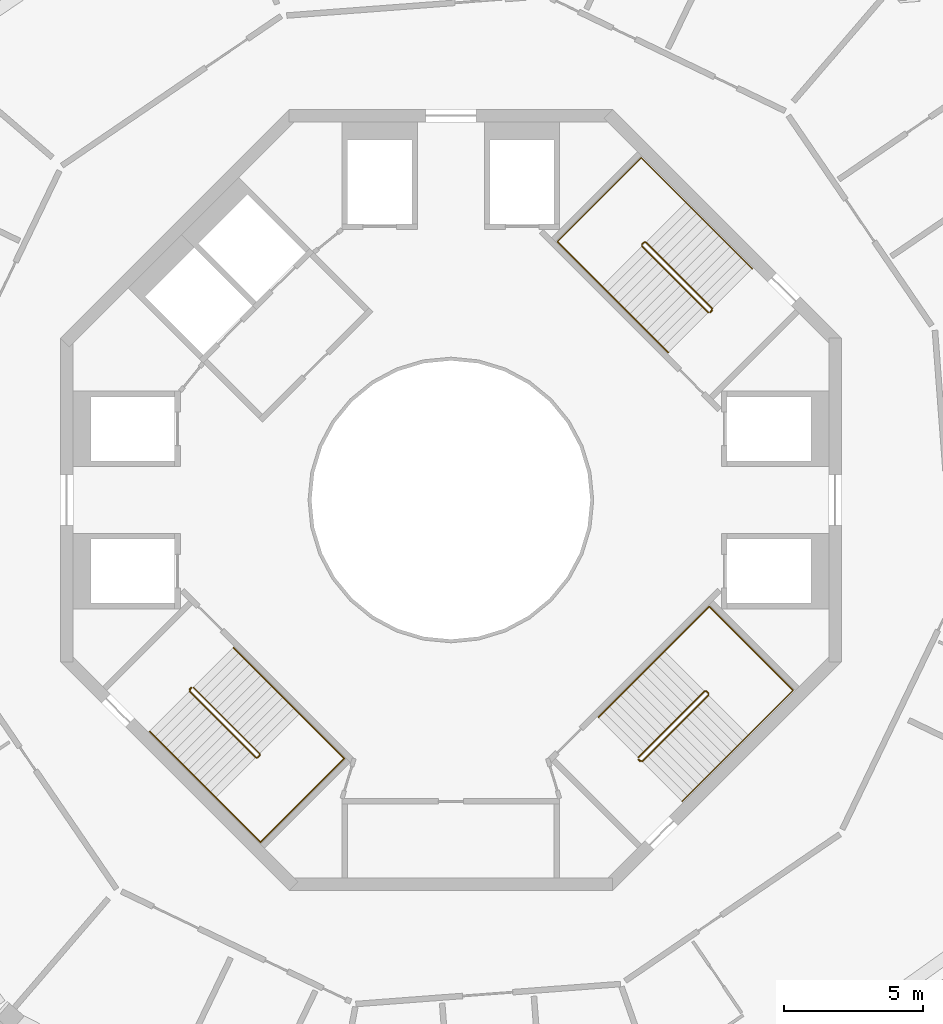
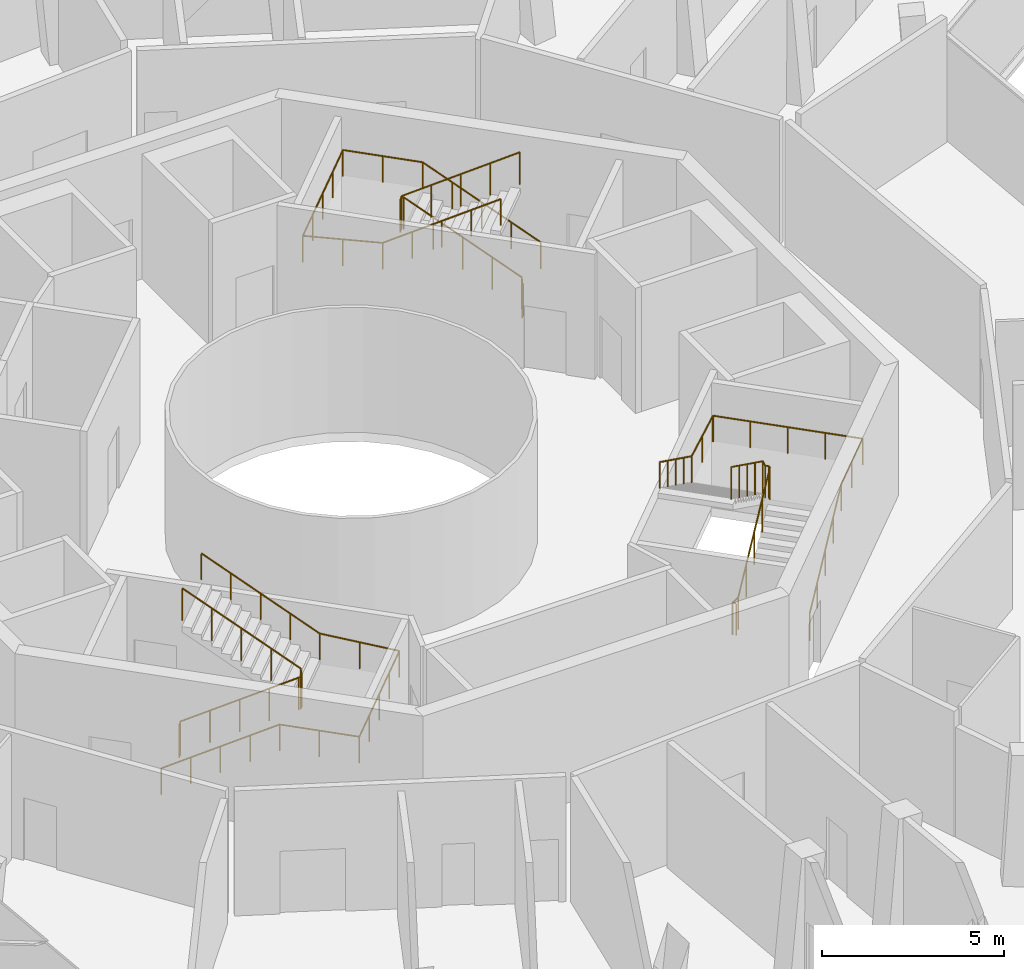
# One storey, part 19 of 19: 6 railings.
"""IFC4 building model written with IfcOpenShell, lengths in metres."""

from ifc_helpers import new_model, si_unit, direction, frame, origin, origin_2d, place, context, subcontext, project, spatial, circle, extrude, material, type_object, element, save


model = new_model("IFC4")

# Units and contexts
model_context = context("Model", 3, precision=1e-05, world=origin(), true_north=direction((0.0, 1.0)))
body_context = subcontext(model_context, "Body", "Model", "MODEL_VIEW")
ifc_project = project(units=[si_unit("LENGTHUNIT", "METRE"), si_unit("AREAUNIT", "SQUARE_METRE"), si_unit("VOLUMEUNIT", "CUBIC_METRE"), si_unit("PLANEANGLEUNIT", "RADIAN"), si_unit("MASSUNIT", "GRAM", prefix="KILO")], contexts=[model_context])

# Site, building, storey
site_placement = place(None, origin())
site = spatial("IfcSite", under=ifc_project, at=site_placement, CompositionType="ELEMENT")
building_placement = place(site_placement, origin())
building = spatial("IfcBuilding", under=site, at=building_placement, Name="Verdalira Terraces Hotel", CompositionType="ELEMENT")
storey_placement = place(building_placement, frame((0.0, 0.0, 295.0)))
storey = spatial("IfcBuildingStorey", under=building, at=storey_placement, Name="L73", CompositionType="ELEMENT", Elevation=295.0)

# Railings
ifc_material_1 = material(Name="Stainless steel", Category="steel")
railing_type_1 = type_object("IfcRailingType", Name="Stair guard 1100", PredefinedType="GUARDRAIL", material=ifc_material_1)
railing_1_placement = place(storey_placement, frame((9.369141, 6.78833, 0.0)))
element("IfcRailing", 1, at=railing_1_placement, inside=storey, type_object=railing_type_1, Name="L73 ST1 stair guard 1", PredefinedType="GUARDRAIL", context=body_context, shape_type="SweptSolid", body=[
    extrude(circle(Radius=0.023926, at=origin_2d()), frame((0.0, 0.0, 1.076172), z_axis=(-0.707106781, -0.707106781, 0.0), x_axis=(0.707106781, -0.707106781, 0.0)), (0.0, 0.0, 1.0), 0.100098),
    extrude(circle(Radius=0.023926, at=origin_2d()), frame((-0.070801, -0.070801, 1.076172), z_axis=(0.302014195, 0.602986962, 0.738372636), x_axis=(-0.894118129, 0.447831187, 0.0)), (0.0, 0.0, 1.0), 0.234375),
    extrude(circle(Radius=0.023926, at=origin_2d()), frame((0.0, 0.070557, 1.249023), z_axis=(-0.601482972, 0.601482972, 0.52577226), x_axis=(-0.707106781, -0.707106781, 0.0)), (0.0, 0.0, 1.0), 3.950195),
    extrude(circle(Radius=0.023926, at=origin_2d()), frame((-2.375977, 2.446533, 3.326172), z_axis=(-1.0, 0.0, 0.0), x_axis=(0.0, -1.0, 0.0)), (0.0, 0.0, 1.0), 0.070557),
    extrude(circle(Radius=0.023926, at=origin_2d()), frame((-2.446533, 2.446533, 3.326172), z_axis=(-0.707106781, -0.707106781, 0.0), x_axis=(0.707106781, -0.707106781, 0.0)), (0.0, 0.0, 1.0), 0.100098),
    extrude(circle(Radius=0.023926, at=origin_2d()), frame((-2.517334, 2.375732, 3.326172), z_axis=(0.0, -0.377462833, 0.926024735), x_axis=(1.0, 0.0, 0.0)), (0.0, 0.0, 1.0), 0.187012),
    extrude(circle(Radius=0.023926, at=origin_2d()), frame((-2.517334, 2.305176, 3.499023), z_axis=(0.601482972, -0.601482972, 0.52577226), x_axis=(0.707106781, 0.707106781, 0.0)), (0.0, 0.0, 1.0), 3.950195),
    extrude(circle(Radius=0.020996, at=origin_2d()), origin(), (0.0, 0.0, 1.0), 1.052002),
    extrude(circle(Radius=0.020996, at=origin_2d()), frame((-0.070801, -0.070801, 0.0)), (0.0, 0.0, 1.0), 1.052002),
    extrude(circle(Radius=0.020996, at=origin_2d()), frame((0.0, 0.070557, 0.173096)), (0.0, 0.0, 1.0), 1.052002),
    extrude(circle(Radius=0.020996, at=origin_2d()), frame((-0.593994, 0.664551, 0.692383)), (0.0, 0.0, 1.0), 1.052002),
    extrude(circle(Radius=0.020996, at=origin_2d()), frame((-1.187988, 1.258545, 1.211426)), (0.0, 0.0, 1.0), 1.052002),
    extrude(circle(Radius=0.020996, at=origin_2d()), frame((-1.781982, 1.852539, 1.730713)), (0.0, 0.0, 1.0), 1.052002),
    extrude(circle(Radius=0.020996, at=origin_2d()), frame((-2.375977, 2.446533, 2.25)), (0.0, 0.0, 1.0), 1.052002),
    extrude(circle(Radius=0.020996, at=origin_2d()), frame((-2.446533, 2.446533, 2.25)), (0.0, 0.0, 1.0), 1.052002),
    extrude(circle(Radius=0.020996, at=origin_2d()), frame((-2.517334, 2.375732, 2.25)), (0.0, 0.0, 1.0), 1.052002),
    extrude(circle(Radius=0.020996, at=origin_2d()), frame((-2.517334, 2.305176, 2.423096)), (0.0, 0.0, 1.0), 1.052002),
    extrude(circle(Radius=0.020996, at=origin_2d()), frame((-1.92334, 1.711182, 2.942383)), (0.0, 0.0, 1.0), 1.052002),
    extrude(circle(Radius=0.020996, at=origin_2d()), frame((-1.329346, 1.117188, 3.461426)), (0.0, 0.0, 1.0), 1.052002),
    extrude(circle(Radius=0.020996, at=origin_2d()), frame((-0.735352, 0.523193, 3.980713)), (0.0, 0.0, 1.0), 1.052002),
    extrude(circle(Radius=0.020996, at=origin_2d()), frame((-0.141357, -0.070801, 4.5)), (0.0, 0.0, 1.0), 1.052002),
])
railing_2_placement = place(storey_placement, frame((-9.369141, -6.78833, 0.0)))
element("IfcRailing", 2, at=railing_2_placement, inside=storey, type_object=railing_type_1, Name="L73 ST2 stair guard 1", PredefinedType="GUARDRAIL", context=body_context, shape_type="SweptSolid", body=[
    extrude(circle(Radius=0.023926, at=origin_2d()), frame((0.0, 0.0, 1.076172), z_axis=(0.707106781, 0.707106781, 0.0), x_axis=(-0.707106781, 0.707106781, 0.0)), (0.0, 0.0, 1.0), 0.100098),
    extrude(circle(Radius=0.023926, at=origin_2d()), frame((0.070801, 0.070801, 1.076172), z_axis=(-0.302014195, -0.602986962, 0.738372636), x_axis=(0.894118129, -0.447831187, 0.0)), (0.0, 0.0, 1.0), 0.234375),
    extrude(circle(Radius=0.023926, at=origin_2d()), frame((0.0, -0.070557, 1.249023), z_axis=(0.601482972, -0.601482972, 0.52577226), x_axis=(0.707106781, 0.707106781, 0.0)), (0.0, 0.0, 1.0), 3.950195),
    extrude(circle(Radius=0.023926, at=origin_2d()), frame((2.375977, -2.446533, 3.326172), z_axis=(1.0, 0.0, 0.0), x_axis=(0.0, 1.0, 0.0)), (0.0, 0.0, 1.0), 0.070557),
    extrude(circle(Radius=0.023926, at=origin_2d()), frame((2.446533, -2.446533, 3.326172), z_axis=(0.707106781, 0.707106781, 0.0), x_axis=(-0.707106781, 0.707106781, 0.0)), (0.0, 0.0, 1.0), 0.100098),
    extrude(circle(Radius=0.023926, at=origin_2d()), frame((2.517334, -2.375732, 3.326172), z_axis=(0.0, 0.377462833, 0.926024735), x_axis=(-1.0, 0.0, 0.0)), (0.0, 0.0, 1.0), 0.187012),
    extrude(circle(Radius=0.023926, at=origin_2d()), frame((2.517334, -2.305176, 3.499023), z_axis=(-0.601482972, 0.601482972, 0.52577226), x_axis=(-0.707106781, -0.707106781, 0.0)), (0.0, 0.0, 1.0), 3.950195),
    extrude(circle(Radius=0.020996, at=origin_2d()), origin(), (0.0, 0.0, 1.0), 1.052002),
    extrude(circle(Radius=0.020996, at=origin_2d()), frame((0.070801, 0.070801, 0.0)), (0.0, 0.0, 1.0), 1.052002),
    extrude(circle(Radius=0.020996, at=origin_2d()), frame((0.0, -0.070557, 0.173096)), (0.0, 0.0, 1.0), 1.052002),
    extrude(circle(Radius=0.020996, at=origin_2d()), frame((0.593994, -0.664551, 0.692383)), (0.0, 0.0, 1.0), 1.052002),
    extrude(circle(Radius=0.020996, at=origin_2d()), frame((1.187988, -1.258545, 1.211426)), (0.0, 0.0, 1.0), 1.052002),
    extrude(circle(Radius=0.020996, at=origin_2d()), frame((1.781982, -1.852539, 1.730713)), (0.0, 0.0, 1.0), 1.052002),
    extrude(circle(Radius=0.020996, at=origin_2d()), frame((2.375977, -2.446533, 2.25)), (0.0, 0.0, 1.0), 1.052002),
    extrude(circle(Radius=0.020996, at=origin_2d()), frame((2.446533, -2.446533, 2.25)), (0.0, 0.0, 1.0), 1.052002),
    extrude(circle(Radius=0.020996, at=origin_2d()), frame((2.517334, -2.375732, 2.25)), (0.0, 0.0, 1.0), 1.052002),
    extrude(circle(Radius=0.020996, at=origin_2d()), frame((2.517334, -2.305176, 2.423096)), (0.0, 0.0, 1.0), 1.052002),
    extrude(circle(Radius=0.020996, at=origin_2d()), frame((1.92334, -1.711182, 2.942383)), (0.0, 0.0, 1.0), 1.052002),
    extrude(circle(Radius=0.020996, at=origin_2d()), frame((1.329346, -1.117188, 3.461426)), (0.0, 0.0, 1.0), 1.052002),
    extrude(circle(Radius=0.020996, at=origin_2d()), frame((0.735352, -0.523193, 3.980713)), (0.0, 0.0, 1.0), 1.052002),
    extrude(circle(Radius=0.020996, at=origin_2d()), frame((0.141357, 0.070801, 4.5)), (0.0, 0.0, 1.0), 1.052002),
])
railing_3_placement = place(storey_placement, frame((6.78833, -9.369141, 0.0)))
element("IfcRailing", 3, at=railing_3_placement, inside=storey, type_object=railing_type_1, Name="L73 ST3 stair guard 1", PredefinedType="GUARDRAIL", context=body_context, shape_type="SweptSolid", body=[
    extrude(circle(Radius=0.023926, at=origin_2d()), frame((0.0, 0.0, 1.076172), z_axis=(-0.707106781, 0.707106781, 0.0), x_axis=(-0.707106781, -0.707106781, 0.0)), (0.0, 0.0, 1.0), 0.100098),
    extrude(circle(Radius=0.023926, at=origin_2d()), frame((-0.070801, 0.070801, 1.076172), z_axis=(0.602986962, -0.302014195, 0.738372636), x_axis=(0.447831187, 0.894118129, 0.0)), (0.0, 0.0, 1.0), 0.234375),
    extrude(circle(Radius=0.023926, at=origin_2d()), frame((0.070557, 0.0, 1.249023), z_axis=(0.601482972, 0.601482972, 0.52577226), x_axis=(-0.707106781, 0.707106781, 0.0)), (0.0, 0.0, 1.0), 3.950195),
    extrude(circle(Radius=0.023926, at=origin_2d()), frame((2.446533, 2.375977, 3.326172), z_axis=(0.0, 1.0, 0.0), x_axis=(-1.0, 0.0, 0.0)), (0.0, 0.0, 1.0), 0.070557),
    extrude(circle(Radius=0.023926, at=origin_2d()), frame((2.446533, 2.446533, 3.326172), z_axis=(-0.707106781, 0.707106781, 0.0), x_axis=(-0.707106781, -0.707106781, 0.0)), (0.0, 0.0, 1.0), 0.100098),
    extrude(circle(Radius=0.023926, at=origin_2d()), frame((2.375732, 2.517334, 3.326172), z_axis=(-0.377462833, 0.0, 0.926024735), x_axis=(0.0, -1.0, 0.0)), (0.0, 0.0, 1.0), 0.187012),
    extrude(circle(Radius=0.023926, at=origin_2d()), frame((2.305176, 2.517334, 3.499023), z_axis=(-0.601482972, -0.601482972, 0.52577226), x_axis=(0.707106781, -0.707106781, 0.0)), (0.0, 0.0, 1.0), 3.950195),
    extrude(circle(Radius=0.020996, at=origin_2d()), origin(), (0.0, 0.0, 1.0), 1.052002),
    extrude(circle(Radius=0.020996, at=origin_2d()), frame((-0.070801, 0.070801, 0.0)), (0.0, 0.0, 1.0), 1.052002),
    extrude(circle(Radius=0.020996, at=origin_2d()), frame((0.070557, 0.0, 0.173096)), (0.0, 0.0, 1.0), 1.052002),
    extrude(circle(Radius=0.020996, at=origin_2d()), frame((0.664551, 0.593994, 0.692383)), (0.0, 0.0, 1.0), 1.052002),
    extrude(circle(Radius=0.020996, at=origin_2d()), frame((1.258545, 1.187988, 1.211426)), (0.0, 0.0, 1.0), 1.052002),
    extrude(circle(Radius=0.020996, at=origin_2d()), frame((1.852539, 1.781982, 1.730713)), (0.0, 0.0, 1.0), 1.052002),
    extrude(circle(Radius=0.020996, at=origin_2d()), frame((2.446533, 2.375977, 2.25)), (0.0, 0.0, 1.0), 1.052002),
    extrude(circle(Radius=0.020996, at=origin_2d()), frame((2.446533, 2.446533, 2.25)), (0.0, 0.0, 1.0), 1.052002),
    extrude(circle(Radius=0.020996, at=origin_2d()), frame((2.375732, 2.517334, 2.25)), (0.0, 0.0, 1.0), 1.052002),
    extrude(circle(Radius=0.020996, at=origin_2d()), frame((2.305176, 2.517334, 2.423096)), (0.0, 0.0, 1.0), 1.052002),
    extrude(circle(Radius=0.020996, at=origin_2d()), frame((1.711182, 1.92334, 2.942383)), (0.0, 0.0, 1.0), 1.052002),
    extrude(circle(Radius=0.020996, at=origin_2d()), frame((1.117188, 1.329346, 3.461426)), (0.0, 0.0, 1.0), 1.052002),
    extrude(circle(Radius=0.020996, at=origin_2d()), frame((0.523193, 0.735352, 3.980713)), (0.0, 0.0, 1.0), 1.052002),
    extrude(circle(Radius=0.020996, at=origin_2d()), frame((-0.070801, 0.141357, 4.5)), (0.0, 0.0, 1.0), 1.052002),
])
ifc_material_2 = material(Name="Stainless steel", Category="steel")
railing_type_2 = type_object("IfcRailingType", Name="Stair handrail 900", PredefinedType="HANDRAIL", material=ifc_material_2)
railing_4_placement = place(storey_placement, frame((10.801025, 8.290771, 0.173096)))
element("IfcRailing", 4, at=railing_4_placement, inside=storey, type_object=railing_type_2, Name="L73 ST1 stair handrail 1", PredefinedType="HANDRAIL", context=body_context, shape_type="SweptSolid", body=[
    extrude(circle(Radius=0.023926, at=origin_2d()), frame((0.0, 0.0, 0.875977), z_axis=(-0.601443524, 0.601505331, 0.525791806), x_axis=(-0.707143111, -0.707070449, 0.0)), (0.0, 0.0, 1.0), 3.949951),
    extrude(circle(Radius=0.023926, at=origin_2d()), frame((-2.375732, 2.375977, 2.952637), z_axis=(-0.70716067, 0.707052888, 0.0), x_axis=(-0.707052888, -0.70716067, 0.0)), (0.0, 0.0, 1.0), 2.265137),
    extrude(circle(Radius=0.023926, at=origin_2d()), frame((-3.977539, 3.977539, 2.952637), z_axis=(-0.707106781, -0.707106781, 0.0), x_axis=(0.707106781, -0.707106781, 0.0)), (0.0, 0.0, 1.0), 4.25),
    extrude(circle(Radius=0.023926, at=origin_2d()), frame((-6.982666, 0.972412, 2.952637), z_axis=(0.705050831, -0.705050831, 0.076201378), x_axis=(0.707106781, 0.707106781, 0.0)), (0.0, 0.0, 1.0), 2.271484),
    extrude(circle(Radius=0.023926, at=origin_2d()), frame((-5.381104, -0.62915, 3.125977), z_axis=(0.601482972, -0.601482972, 0.52577226), x_axis=(0.707106781, 0.707106781, 0.0)), (0.0, 0.0, 1.0), 3.950195),
    extrude(circle(Radius=0.020996, at=origin_2d()), origin(), (0.0, 0.0, 1.0), 0.851807),
    extrude(circle(Radius=0.020996, at=origin_2d()), frame((-0.593994, 0.593994, 0.519287)), (0.0, 0.0, 1.0), 0.851807),
    extrude(circle(Radius=0.020996, at=origin_2d()), frame((-1.187988, 1.187988, 1.038574)), (0.0, 0.0, 1.0), 0.851807),
    extrude(circle(Radius=0.020996, at=origin_2d()), frame((-1.781738, 1.781982, 1.557617)), (0.0, 0.0, 1.0), 0.851807),
    extrude(circle(Radius=0.020996, at=origin_2d()), frame((-2.375732, 2.375977, 2.076904)), (0.0, 0.0, 1.0), 0.851807),
    extrude(circle(Radius=0.020996, at=origin_2d()), frame((-3.176758, 3.176758, 2.076904)), (0.0, 0.0, 1.0), 0.851807),
    extrude(circle(Radius=0.020996, at=origin_2d()), frame((-3.977539, 3.977539, 2.076904)), (0.0, 0.0, 1.0), 0.851807),
    extrude(circle(Radius=0.020996, at=origin_2d()), frame((-4.72876, 3.226318, 2.076904)), (0.0, 0.0, 1.0), 0.851807),
    extrude(circle(Radius=0.020996, at=origin_2d()), frame((-5.47998, 2.475098, 2.076904)), (0.0, 0.0, 1.0), 0.851807),
    extrude(circle(Radius=0.020996, at=origin_2d()), frame((-6.231445, 1.723633, 2.076904)), (0.0, 0.0, 1.0), 0.851807),
    extrude(circle(Radius=0.020996, at=origin_2d()), frame((-6.982666, 0.972412, 2.076904)), (0.0, 0.0, 1.0), 0.851807),
    extrude(circle(Radius=0.020996, at=origin_2d()), frame((-6.181885, 0.171631, 2.163574)), (0.0, 0.0, 1.0), 0.851807),
    extrude(circle(Radius=0.020996, at=origin_2d()), frame((-5.381104, -0.62915, 2.25)), (0.0, 0.0, 1.0), 0.851807),
    extrude(circle(Radius=0.020996, at=origin_2d()), frame((-4.787109, -1.223145, 2.769287)), (0.0, 0.0, 1.0), 0.851807),
    extrude(circle(Radius=0.020996, at=origin_2d()), frame((-4.193115, -1.817139, 3.288574)), (0.0, 0.0, 1.0), 0.851807),
    extrude(circle(Radius=0.020996, at=origin_2d()), frame((-3.599121, -2.411133, 3.807617)), (0.0, 0.0, 1.0), 0.851807),
    extrude(circle(Radius=0.020996, at=origin_2d()), frame((-3.005127, -3.005127, 4.326904)), (0.0, 0.0, 1.0), 0.851807),
])
railing_5_placement = place(storey_placement, frame((-10.801025, -8.290771, 0.173096)))
element("IfcRailing", 5, at=railing_5_placement, inside=storey, type_object=railing_type_2, Name="L73 ST2 stair handrail 1", PredefinedType="HANDRAIL", context=body_context, shape_type="SweptSolid", body=[
    extrude(circle(Radius=0.023926, at=origin_2d()), frame((0.0, 0.0, 0.875977), z_axis=(0.601443524, -0.601505331, 0.525791806), x_axis=(0.707143111, 0.707070449, 0.0)), (0.0, 0.0, 1.0), 3.949951),
    extrude(circle(Radius=0.023926, at=origin_2d()), frame((2.375732, -2.375977, 2.952637), z_axis=(0.70716067, -0.707052888, 0.0), x_axis=(0.707052888, 0.70716067, 0.0)), (0.0, 0.0, 1.0), 2.265137),
    extrude(circle(Radius=0.023926, at=origin_2d()), frame((3.977539, -3.977539, 2.952637), z_axis=(0.707106781, 0.707106781, 0.0), x_axis=(-0.707106781, 0.707106781, 0.0)), (0.0, 0.0, 1.0), 4.25),
    extrude(circle(Radius=0.023926, at=origin_2d()), frame((6.982666, -0.972412, 2.952637), z_axis=(-0.705050831, 0.705050831, 0.076201378), x_axis=(-0.707106781, -0.707106781, 0.0)), (0.0, 0.0, 1.0), 2.271484),
    extrude(circle(Radius=0.023926, at=origin_2d()), frame((5.381104, 0.62915, 3.125977), z_axis=(-0.601482972, 0.601482972, 0.52577226), x_axis=(-0.707106781, -0.707106781, 0.0)), (0.0, 0.0, 1.0), 3.950195),
    extrude(circle(Radius=0.020996, at=origin_2d()), origin(), (0.0, 0.0, 1.0), 0.851807),
    extrude(circle(Radius=0.020996, at=origin_2d()), frame((0.593994, -0.593994, 0.519287)), (0.0, 0.0, 1.0), 0.851807),
    extrude(circle(Radius=0.020996, at=origin_2d()), frame((1.187988, -1.187988, 1.038574)), (0.0, 0.0, 1.0), 0.851807),
    extrude(circle(Radius=0.020996, at=origin_2d()), frame((1.781738, -1.781982, 1.557617)), (0.0, 0.0, 1.0), 0.851807),
    extrude(circle(Radius=0.020996, at=origin_2d()), frame((2.375732, -2.375977, 2.076904)), (0.0, 0.0, 1.0), 0.851807),
    extrude(circle(Radius=0.020996, at=origin_2d()), frame((3.176758, -3.176758, 2.076904)), (0.0, 0.0, 1.0), 0.851807),
    extrude(circle(Radius=0.020996, at=origin_2d()), frame((3.977539, -3.977539, 2.076904)), (0.0, 0.0, 1.0), 0.851807),
    extrude(circle(Radius=0.020996, at=origin_2d()), frame((4.72876, -3.226318, 2.076904)), (0.0, 0.0, 1.0), 0.851807),
    extrude(circle(Radius=0.020996, at=origin_2d()), frame((5.47998, -2.475098, 2.076904)), (0.0, 0.0, 1.0), 0.851807),
    extrude(circle(Radius=0.020996, at=origin_2d()), frame((6.231445, -1.723633, 2.076904)), (0.0, 0.0, 1.0), 0.851807),
    extrude(circle(Radius=0.020996, at=origin_2d()), frame((6.982666, -0.972412, 2.076904)), (0.0, 0.0, 1.0), 0.851807),
    extrude(circle(Radius=0.020996, at=origin_2d()), frame((6.181885, -0.171631, 2.163574)), (0.0, 0.0, 1.0), 0.851807),
    extrude(circle(Radius=0.020996, at=origin_2d()), frame((5.381104, 0.62915, 2.25)), (0.0, 0.0, 1.0), 0.851807),
    extrude(circle(Radius=0.020996, at=origin_2d()), frame((4.787109, 1.223145, 2.769287)), (0.0, 0.0, 1.0), 0.851807),
    extrude(circle(Radius=0.020996, at=origin_2d()), frame((4.193115, 1.817139, 3.288574)), (0.0, 0.0, 1.0), 0.851807),
    extrude(circle(Radius=0.020996, at=origin_2d()), frame((3.599121, 2.411133, 3.807617)), (0.0, 0.0, 1.0), 0.851807),
    extrude(circle(Radius=0.020996, at=origin_2d()), frame((3.005127, 3.005127, 4.326904)), (0.0, 0.0, 1.0), 0.851807),
])
railing_6_placement = place(storey_placement, frame((8.290771, -10.801025, 0.173096)))
element("IfcRailing", 6, at=railing_6_placement, inside=storey, type_object=railing_type_2, Name="L73 ST3 stair handrail 1", PredefinedType="HANDRAIL", context=body_context, shape_type="SweptSolid", body=[
    extrude(circle(Radius=0.023926, at=origin_2d()), frame((0.0, 0.0, 0.875977), z_axis=(0.601505331, 0.601443524, 0.525791806), x_axis=(-0.707070449, 0.707143111, 0.0)), (0.0, 0.0, 1.0), 3.949951),
    extrude(circle(Radius=0.023926, at=origin_2d()), frame((2.375977, 2.375732, 2.952637), z_axis=(0.707052888, 0.70716067, 0.0), x_axis=(-0.70716067, 0.707052888, 0.0)), (0.0, 0.0, 1.0), 2.265137),
    extrude(circle(Radius=0.023926, at=origin_2d()), frame((3.977539, 3.977539, 2.952637), z_axis=(-0.707106781, 0.707106781, 0.0), x_axis=(-0.707106781, -0.707106781, 0.0)), (0.0, 0.0, 1.0), 4.25),
    extrude(circle(Radius=0.023926, at=origin_2d()), frame((0.972412, 6.982666, 2.952637), z_axis=(-0.705050831, -0.705050831, 0.076201378), x_axis=(0.707106781, -0.707106781, 0.0)), (0.0, 0.0, 1.0), 2.271484),
    extrude(circle(Radius=0.023926, at=origin_2d()), frame((-0.62915, 5.381104, 3.125977), z_axis=(-0.601482972, -0.601482972, 0.52577226), x_axis=(0.707106781, -0.707106781, 0.0)), (0.0, 0.0, 1.0), 3.950195),
    extrude(circle(Radius=0.020996, at=origin_2d()), origin(), (0.0, 0.0, 1.0), 0.851807),
    extrude(circle(Radius=0.020996, at=origin_2d()), frame((0.593994, 0.593994, 0.519287)), (0.0, 0.0, 1.0), 0.851807),
    extrude(circle(Radius=0.020996, at=origin_2d()), frame((1.187988, 1.187988, 1.038574)), (0.0, 0.0, 1.0), 0.851807),
    extrude(circle(Radius=0.020996, at=origin_2d()), frame((1.781982, 1.781738, 1.557617)), (0.0, 0.0, 1.0), 0.851807),
    extrude(circle(Radius=0.020996, at=origin_2d()), frame((2.375977, 2.375732, 2.076904)), (0.0, 0.0, 1.0), 0.851807),
    extrude(circle(Radius=0.020996, at=origin_2d()), frame((3.176758, 3.176758, 2.076904)), (0.0, 0.0, 1.0), 0.851807),
    extrude(circle(Radius=0.020996, at=origin_2d()), frame((3.977539, 3.977539, 2.076904)), (0.0, 0.0, 1.0), 0.851807),
    extrude(circle(Radius=0.020996, at=origin_2d()), frame((3.226318, 4.72876, 2.076904)), (0.0, 0.0, 1.0), 0.851807),
    extrude(circle(Radius=0.020996, at=origin_2d()), frame((2.475098, 5.47998, 2.076904)), (0.0, 0.0, 1.0), 0.851807),
    extrude(circle(Radius=0.020996, at=origin_2d()), frame((1.723633, 6.231445, 2.076904)), (0.0, 0.0, 1.0), 0.851807),
    extrude(circle(Radius=0.020996, at=origin_2d()), frame((0.972412, 6.982666, 2.076904)), (0.0, 0.0, 1.0), 0.851807),
    extrude(circle(Radius=0.020996, at=origin_2d()), frame((0.171631, 6.181885, 2.163574)), (0.0, 0.0, 1.0), 0.851807),
    extrude(circle(Radius=0.020996, at=origin_2d()), frame((-0.62915, 5.381104, 2.25)), (0.0, 0.0, 1.0), 0.851807),
    extrude(circle(Radius=0.020996, at=origin_2d()), frame((-1.223145, 4.787109, 2.769287)), (0.0, 0.0, 1.0), 0.851807),
    extrude(circle(Radius=0.020996, at=origin_2d()), frame((-1.817139, 4.193115, 3.288574)), (0.0, 0.0, 1.0), 0.851807),
    extrude(circle(Radius=0.020996, at=origin_2d()), frame((-2.411133, 3.599121, 3.807617)), (0.0, 0.0, 1.0), 0.851807),
    extrude(circle(Radius=0.020996, at=origin_2d()), frame((-3.005127, 3.005127, 4.326904)), (0.0, 0.0, 1.0), 0.851807),
])

save(model, "model.ifc")
